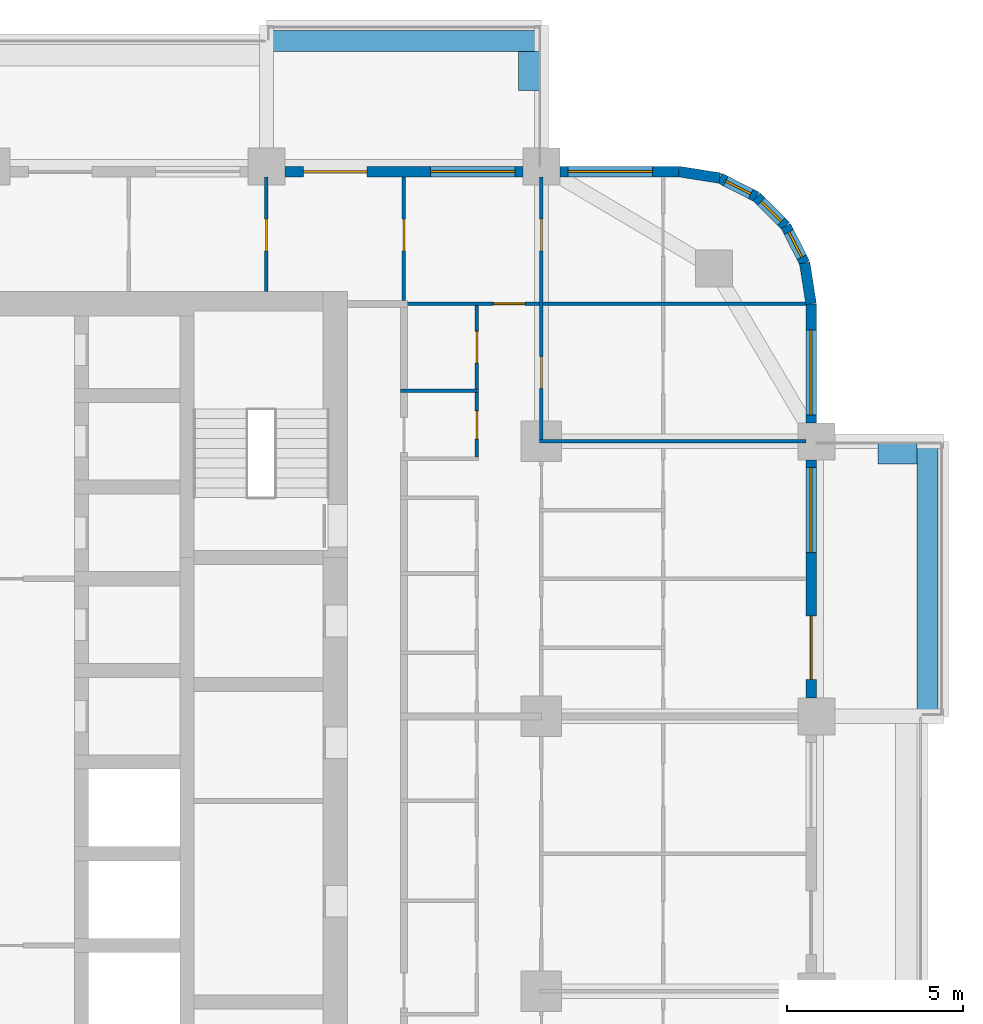
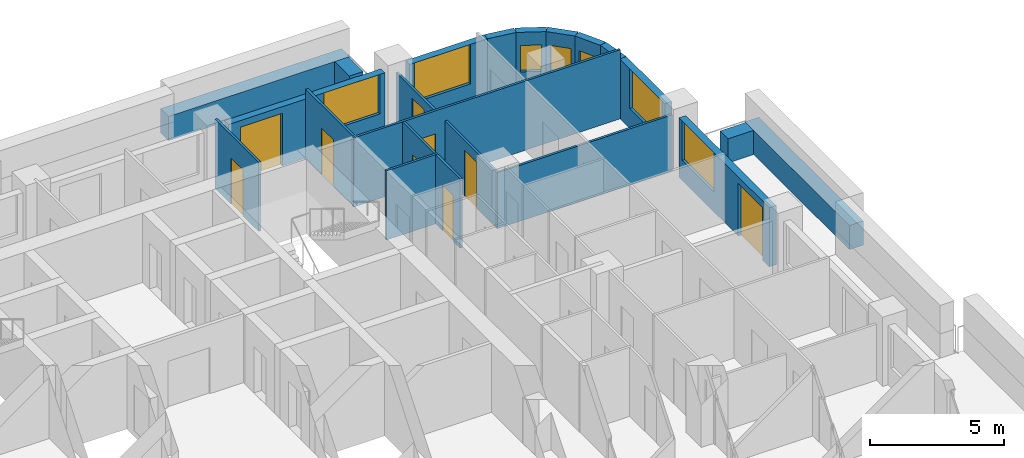
# One storey, part 13 of 17: 20 walls, 9 doors, 7 windows, 16 openings.
"""IFC4 building model written with IfcOpenShell, lengths in metres."""

from ifc_helpers import new_model, si_unit, direction, frame, frame_2d, origin, place, context, subcontext, project, spatial, rectangle, extrude, material, layer, layer_set, type_object, element, fill, save


model = new_model("IFC4")

# Units and contexts
model_context = context("Model", 3, precision=1e-05, world=origin(), true_north=direction((0.0, 1.0)))
body_context = subcontext(model_context, "Body", "Model", "MODEL_VIEW")
ifc_project = project(units=[si_unit("LENGTHUNIT", "METRE"), si_unit("AREAUNIT", "SQUARE_METRE"), si_unit("VOLUMEUNIT", "CUBIC_METRE"), si_unit("PLANEANGLEUNIT", "RADIAN"), si_unit("MASSUNIT", "GRAM", prefix="KILO")], contexts=[model_context])

# Site, building, storey
site_placement = place(None, origin())
site = spatial("IfcSite", under=ifc_project, at=site_placement, CompositionType="ELEMENT")
building_placement = place(site_placement, origin())
building = spatial("IfcBuilding", under=site, at=building_placement, Name="Ludao Terraces", CompositionType="ELEMENT")
storey_placement = place(building_placement, frame((0.0, 0.0, 39.89990234375)))
storey = spatial("IfcBuildingStorey", under=building, at=storey_placement, Name="L10", CompositionType="ELEMENT", Elevation=39.89990234375)

# Walls
ifc_material_1 = material(Name="Concrete C40", Category="concrete")
ifc_layer_1 = layer(ifc_material_1, 0.60009765625)
ifc_layer_set_1 = layer_set([ifc_layer_1], Name="ENV Planter trough 600")
wall_type_1 = type_object("IfcWallType", Name="ENV Planter trough 600", PredefinedType="USERDEFINED", material=ifc_layer_set_1)
wall_1_placement = place(storey_placement, frame((111.550048828125, 72.800048828125, 0.0), z_axis=(0.0, 0.0, 1.0), x_axis=(0.0, 1.0, 0.0)))
element("IfcWall", 1, at=wall_1_placement, inside=storey, type_object=wall_type_1, Name="PL-L10-E4", ObjectType="PLANTER", PredefinedType="USERDEFINED", context=body_context, shape_type="SweptSolid", body=[
    extrude(rectangle(XDim=7.800048828125, YDim=0.60009765625, at=frame_2d((3.89990234375, 0.0))), origin(), (0.0, 0.0, 1.0), 1.10009765625),
])
wall_2_placement = place(storey_placement, frame((111.25, 80.25, 0.0), z_axis=(0.0, 0.0, 1.0), x_axis=(-1.0, 0.0, 0.0)))
element("IfcWall", 2, at=wall_2_placement, inside=storey, type_object=wall_type_1, Name="PL-L10-E4-SB", ObjectType="PLANTER", PredefinedType="USERDEFINED", context=body_context, shape_type="SweptSolid", body=[
    extrude(rectangle(XDim=1.10009765625, YDim=0.60009765625, at=frame_2d((0.550048828125, 0.0))), origin(), (0.0, 0.0, 1.0), 1.10009765625),
])
wall_3_placement = place(storey_placement, frame((92.800048828125, 91.949951171875, 0.0), z_axis=(0.0, 0.0, 1.0), x_axis=(1.0, 0.0, 0.0)))
element("IfcWall", 3, at=wall_3_placement, inside=storey, type_object=wall_type_1, Name="PL-L10-N4", ObjectType="PLANTER", PredefinedType="USERDEFINED", context=body_context, shape_type="SweptSolid", body=[
    extrude(rectangle(XDim=7.800048828125, YDim=0.60009765625, at=frame_2d((3.89990234375, 0.0))), origin(), (0.0, 0.0, 1.0), 1.10009765625),
])
wall_4_placement = place(storey_placement, frame((100.25, 91.64990234375, 0.0), z_axis=(0.0, 0.0, 1.0), x_axis=(0.0, -1.0, 0.0)))
element("IfcWall", 4, at=wall_4_placement, inside=storey, type_object=wall_type_1, Name="PL-L10-N4-SB", ObjectType="PLANTER", PredefinedType="USERDEFINED", context=body_context, shape_type="SweptSolid", body=[
    extrude(rectangle(XDim=1.099853515625, YDim=0.60009765625, at=frame_2d((0.5498046875, 0.0))), origin(), (0.0, 0.0, 1.0), 1.10009765625),
])

# Wall, openings, door, window
ifc_material_2 = material(Name="Granite cladding", Category="masonry")
ifc_layer_2 = layer(ifc_material_2, 0.0400390625, Category="stone")
ifc_material_3 = material(Name="Mineral wool")
ifc_layer_3 = layer(ifc_material_3, 0.06005859375)
ifc_layer_4 = layer(ifc_material_1, 0.199951171875, Category="concrete")
ifc_layer_set_2 = layer_set([ifc_layer_2, ifc_layer_3, ifc_layer_4], Name="ENV Stone-clad wall 300")
wall_type_2 = type_object("IfcWallType", Name="ENV Stone-clad wall 300", PredefinedType="SOLIDWALL", material=ifc_layer_set_2)
wall_5_placement = place(storey_placement, frame((108.25, 73.324951171875, 0.0), z_axis=(0.0, 0.0, 1.0), x_axis=(0.0, 1.0, 0.0)))
wall_5 = element("IfcWall", 5, at=wall_5_placement, inside=storey, type_object=wall_type_2, Name="EW-L10-E5", PredefinedType="SOLIDWALL", context=body_context, shape_type="SweptSolid", body=[
    extrude(rectangle(XDim=6.75, YDim=0.300048828125, at=frame_2d((3.375, 0.0))), origin(), (0.0, 0.0, 1.0), 2.7001953125),
])
opening_1_placement = place(wall_5_placement, frame((0.52490234375, 0.0, 0.0)))
opening_1 = element("IfcOpeningElement", 6, at=opening_1_placement, cuts=wall_5, Name="Opening BD", PredefinedType="OPENING", context=body_context, shape_type="SweptSolid", body=[
    extrude(rectangle(XDim=1.800048828125, YDim=2.39990234375, at=frame_2d((0.89990234375, 1.199951171875))), frame((0.0, 0.16015625, 0.0), z_axis=(0.0, -1.0, 0.0), x_axis=(1.0, 0.0, 0.0)), (0.0, 0.0, 1.0), 0.320068359375),
])
opening_2_placement = place(wall_5_placement, frame((4.125, 0.0, 0.89990234375)))
opening_2 = element("IfcOpeningElement", 7, at=opening_2_placement, cuts=wall_5, Name="Opening W1", PredefinedType="OPENING", context=body_context, shape_type="SweptSolid", body=[
    extrude(rectangle(XDim=2.39990234375, YDim=1.800048828125, at=frame_2d((1.199951171875, 0.89990234375))), frame((0.0, 0.16015625, 0.0), z_axis=(0.0, -1.0, 0.0), x_axis=(1.0, 0.0, 0.0)), (0.0, 0.0, 1.0), 0.320068359375),
])
ifc_material_4 = material(Name="Aluminium glazed door", Category="aluminium")
ifc_layer_5 = layer(ifc_material_4, 0.06005859375)
ifc_layer_set_3 = layer_set([ifc_layer_5], Name="ENV Balcony door BD 1800x2400")
door_type_1 = type_object("IfcDoorType", Name="ENV Balcony door BD 1800x2400", OperationType="DOUBLE_DOOR_SINGLE_SWING", PredefinedType="DOOR", material=ifc_layer_set_3)
door_1_placement = place(opening_1_placement, origin())
door_1 = element("IfcDoor", 8, at=door_1_placement, inside=storey, type_object=door_type_1, Name="BD-L10-E5-1", OperationType="DOUBLE_DOOR_SINGLE_SWING", OverallHeight=2.39990234375, OverallWidth=1.800048828125, PredefinedType="DOOR", context=body_context, shape_type="SweptSolid", body=[
    extrude(rectangle(XDim=1.800048828125, YDim=2.39990234375, at=frame_2d((0.89990234375, 1.199951171875))), frame((0.0, 0.02490234375, 0.0), z_axis=(0.0, -1.0, 0.0), x_axis=(1.0, 0.0, 0.0)), (0.0, 0.0, 1.0), 0.050048828125),
])
fill(opening_1, door_1)
ifc_material_5 = material(Name="Clear glass in aluminium frame", Category="aluminium")
ifc_layer_6 = layer(ifc_material_5, 0.06005859375)
ifc_layer_set_4 = layer_set([ifc_layer_6], Name="ENV Window W1 2400x1800")
window_type_1 = type_object("IfcWindowType", Name="ENV Window W1 2400x1800", PartitioningType="DOUBLE_PANEL_VERTICAL", PredefinedType="WINDOW", material=ifc_layer_set_4)
window_1_placement = place(opening_2_placement, origin())
window_1 = element("IfcWindow", 9, at=window_1_placement, inside=storey, type_object=window_type_1, Name="W-L10-E5-2", OverallHeight=1.800048828125, OverallWidth=2.39990234375, PartitioningType="DOUBLE_PANEL_VERTICAL", PredefinedType="WINDOW", context=body_context, shape_type="SweptSolid", body=[
    extrude(rectangle(XDim=2.39990234375, YDim=1.800048828125, at=frame_2d((1.199951171875, 0.89990234375))), frame((0.0, 0.030029296875, 0.0), z_axis=(0.0, -1.0, 0.0), x_axis=(1.0, 0.0, 0.0)), (0.0, 0.0, 1.0), 0.06005859375),
])
fill(opening_2, window_1)

# Wall, opening, window
wall_6_placement = place(storey_placement, frame((108.25, 81.125, 0.0), z_axis=(0.0, 0.0, 1.0), x_axis=(0.0, 1.0, 0.0)))
wall_6 = element("IfcWall", 10, at=wall_6_placement, inside=storey, type_object=wall_type_2, Name="EW-L10-E6", PredefinedType="SOLIDWALL", context=body_context, shape_type="SweptSolid", body=[
    extrude(rectangle(XDim=3.375, YDim=0.300048828125, at=frame_2d((1.6875, 0.0))), origin(), (0.0, 0.0, 1.0), 2.7001953125),
])
opening_3_placement = place(wall_6_placement, frame((0.22509765625, 0.0, 0.89990234375)))
opening_3 = element("IfcOpeningElement", 11, at=opening_3_placement, cuts=wall_6, Name="Opening W1", PredefinedType="OPENING", context=body_context, shape_type="SweptSolid", body=[
    extrude(rectangle(XDim=2.39990234375, YDim=1.800048828125, at=frame_2d((1.199951171875, 0.89990234375))), frame((0.0, 0.16015625, 0.0), z_axis=(0.0, -1.0, 0.0), x_axis=(1.0, 0.0, 0.0)), (0.0, 0.0, 1.0), 0.320068359375),
])
window_2_placement = place(opening_3_placement, origin())
window_2 = element("IfcWindow", 12, at=window_2_placement, inside=storey, type_object=window_type_1, Name="W-L10-E6-1", OverallHeight=1.800048828125, OverallWidth=2.39990234375, PartitioningType="DOUBLE_PANEL_VERTICAL", PredefinedType="WINDOW", context=body_context, shape_type="SweptSolid", body=[
    extrude(rectangle(XDim=2.39990234375, YDim=1.800048828125, at=frame_2d((1.199951171875, 0.89990234375))), frame((0.0, 0.030029296875, 0.0), z_axis=(0.0, -1.0, 0.0), x_axis=(1.0, 0.0, 0.0)), (0.0, 0.0, 1.0), 0.06005859375),
])
fill(opening_3, window_2)

# Wall, openings, door, window
wall_7_placement = place(storey_placement, frame((93.324951171875, 88.25, 0.0), z_axis=(0.0, 0.0, 1.0), x_axis=(1.0, 0.0, 0.0)))
wall_7 = element("IfcWall", 13, at=wall_7_placement, inside=storey, type_object=wall_type_2, Name="EW-L10-N5", PredefinedType="SOLIDWALL", context=body_context, shape_type="SweptSolid", body=[
    extrude(rectangle(XDim=6.75, YDim=0.300048828125, at=frame_2d((3.375, 0.0))), origin(), (0.0, 0.0, 1.0), 2.7001953125),
])
opening_4_placement = place(wall_7_placement, frame((0.52490234375, 0.0, 0.0)))
opening_4 = element("IfcOpeningElement", 14, at=opening_4_placement, cuts=wall_7, Name="Opening BD", PredefinedType="OPENING", context=body_context, shape_type="SweptSolid", body=[
    extrude(rectangle(XDim=1.800048828125, YDim=2.39990234375, at=frame_2d((0.89990234375, 1.199951171875))), frame((0.0, 0.16015625, 0.0), z_axis=(0.0, -1.0, 0.0), x_axis=(1.0, 0.0, 0.0)), (0.0, 0.0, 1.0), 0.320068359375),
])
opening_5_placement = place(wall_7_placement, frame((4.125, 0.0, 0.89990234375)))
opening_5 = element("IfcOpeningElement", 15, at=opening_5_placement, cuts=wall_7, Name="Opening W1", PredefinedType="OPENING", context=body_context, shape_type="SweptSolid", body=[
    extrude(rectangle(XDim=2.39990234375, YDim=1.800048828125, at=frame_2d((1.199951171875, 0.89990234375))), frame((0.0, 0.16015625, 0.0), z_axis=(0.0, -1.0, 0.0), x_axis=(1.0, 0.0, 0.0)), (0.0, 0.0, 1.0), 0.320068359375),
])
door_2_placement = place(opening_4_placement, origin())
door_2 = element("IfcDoor", 16, at=door_2_placement, inside=storey, type_object=door_type_1, Name="BD-L10-N5-1", OperationType="DOUBLE_DOOR_SINGLE_SWING", OverallHeight=2.39990234375, OverallWidth=1.800048828125, PredefinedType="DOOR", context=body_context, shape_type="SweptSolid", body=[
    extrude(rectangle(XDim=1.800048828125, YDim=2.39990234375, at=frame_2d((0.89990234375, 1.199951171875))), frame((0.0, 0.02490234375, 0.0), z_axis=(0.0, -1.0, 0.0), x_axis=(1.0, 0.0, 0.0)), (0.0, 0.0, 1.0), 0.050048828125),
])
fill(opening_4, door_2)
window_3_placement = place(opening_5_placement, origin())
window_3 = element("IfcWindow", 17, at=window_3_placement, inside=storey, type_object=window_type_1, Name="W-L10-N5-2", OverallHeight=1.800048828125, OverallWidth=2.39990234375, PartitioningType="DOUBLE_PANEL_VERTICAL", PredefinedType="WINDOW", context=body_context, shape_type="SweptSolid", body=[
    extrude(rectangle(XDim=2.39990234375, YDim=1.800048828125, at=frame_2d((1.199951171875, 0.89990234375))), frame((0.0, 0.030029296875, 0.0), z_axis=(0.0, -1.0, 0.0), x_axis=(1.0, 0.0, 0.0)), (0.0, 0.0, 1.0), 0.06005859375),
])
fill(opening_5, window_3)

# Wall, opening, window
wall_8_placement = place(storey_placement, frame((101.125, 88.25, 0.0), z_axis=(0.0, 0.0, 1.0), x_axis=(1.0, 0.0, 0.0)))
wall_8 = element("IfcWall", 18, at=wall_8_placement, inside=storey, type_object=wall_type_2, Name="EW-L10-N6", PredefinedType="SOLIDWALL", context=body_context, shape_type="SweptSolid", body=[
    extrude(rectangle(XDim=3.375, YDim=0.300048828125, at=frame_2d((1.6875, 0.0))), origin(), (0.0, 0.0, 1.0), 2.7001953125),
])
opening_6_placement = place(wall_8_placement, frame((0.22509765625, 0.0, 0.89990234375)))
opening_6 = element("IfcOpeningElement", 19, at=opening_6_placement, cuts=wall_8, Name="Opening W1", PredefinedType="OPENING", context=body_context, shape_type="SweptSolid", body=[
    extrude(rectangle(XDim=2.39990234375, YDim=1.800048828125, at=frame_2d((1.199951171875, 0.89990234375))), frame((0.0, 0.16015625, 0.0), z_axis=(0.0, -1.0, 0.0), x_axis=(1.0, 0.0, 0.0)), (0.0, 0.0, 1.0), 0.320068359375),
])
window_4_placement = place(opening_6_placement, origin())
window_4 = element("IfcWindow", 20, at=window_4_placement, inside=storey, type_object=window_type_1, Name="W-L10-N6-1", OverallHeight=1.800048828125, OverallWidth=2.39990234375, PartitioningType="DOUBLE_PANEL_VERTICAL", PredefinedType="WINDOW", context=body_context, shape_type="SweptSolid", body=[
    extrude(rectangle(XDim=2.39990234375, YDim=1.800048828125, at=frame_2d((1.199951171875, 0.89990234375))), frame((0.0, 0.030029296875, 0.0), z_axis=(0.0, -1.0, 0.0), x_axis=(1.0, 0.0, 0.0)), (0.0, 0.0, 1.0), 0.06005859375),
])
fill(opening_6, window_4)

# Wall
wall_9_placement = place(storey_placement, frame((108.25, 84.5, 0.0), z_axis=(0.0, 0.0, 1.0), x_axis=(-0.156496880861, 0.987678452879, 0.0)))
element("IfcWall", 21, at=wall_9_placement, inside=storey, type_object=wall_type_2, Name="EW-L10-NE1", PredefinedType="SOLIDWALL", context=body_context, shape_type="SweptSolid", body=[
    extrude(rectangle(XDim=1.173095703125, YDim=0.300048828125, at=frame_2d((0.58642578125, 0.0))), origin(), (0.0, 0.0, 1.0), 2.7001953125),
])

# Wall, opening, window
wall_10_placement = place(storey_placement, frame((108.06640625, 85.65869140625, 0.0), z_axis=(0.0, 0.0, 1.0), x_axis=(-0.454025524128, 0.890988677504, 0.0)))
wall_10 = element("IfcWall", 22, at=wall_10_placement, inside=storey, type_object=wall_type_2, Name="EW-L10-NE2", PredefinedType="SOLIDWALL", context=body_context, shape_type="SweptSolid", body=[
    extrude(rectangle(XDim=1.17333984375, YDim=0.300048828125, at=frame_2d((0.586669921875, 0.0))), origin(), (0.0, 0.0, 1.0), 2.7001953125),
])
opening_7_placement = place(wall_10_placement, frame((0.1865234375, 0.0, 0.89990234375)))
opening_7 = element("IfcOpeningElement", 23, at=opening_7_placement, cuts=wall_10, Name="Opening W3", PredefinedType="OPENING", context=body_context, shape_type="SweptSolid", body=[
    extrude(rectangle(XDim=0.800048828125, YDim=1.199951171875, at=frame_2d((0.39990234375, 0.60009765625))), frame((0.0, 0.16015625, 0.0), z_axis=(0.0, -1.0, 0.0), x_axis=(1.0, 0.0, 0.0)), (0.0, 0.0, 1.0), 0.320068359375),
])
ifc_layer_7 = layer(ifc_material_5, 0.06005859375)
ifc_layer_set_5 = layer_set([ifc_layer_7], Name="ENV Window W3 800x1200")
window_type_2 = type_object("IfcWindowType", Name="ENV Window W3 800x1200", PartitioningType="SINGLE_PANEL", PredefinedType="WINDOW", material=ifc_layer_set_5)
window_5_placement = place(opening_7_placement, origin())
window_5 = element("IfcWindow", 24, at=window_5_placement, inside=storey, type_object=window_type_2, Name="W-L10-NE2", OverallHeight=1.199951171875, OverallWidth=0.800048828125, PartitioningType="SINGLE_PANEL", PredefinedType="WINDOW", context=body_context, shape_type="SweptSolid", body=[
    extrude(rectangle(XDim=0.800048828125, YDim=1.199951171875, at=frame_2d((0.39990234375, 0.60009765625))), frame((0.0, 0.030029296875, 0.0), z_axis=(0.0, -1.0, 0.0), x_axis=(1.0, 0.0, 0.0)), (0.0, 0.0, 1.0), 0.06005859375),
])
fill(opening_7, window_5)

wall_11_placement = place(storey_placement, frame((107.53369140625, 86.7041015625, 0.0), z_axis=(0.0, 0.0, 1.0), x_axis=(-0.707106781187, 0.707106781187, 0.0)))
wall_11 = element("IfcWall", 25, at=wall_11_placement, inside=storey, type_object=wall_type_2, Name="EW-L10-NE3", PredefinedType="SOLIDWALL", context=body_context, shape_type="SweptSolid", body=[
    extrude(rectangle(XDim=1.173095703125, YDim=0.300048828125, at=frame_2d((0.58642578125, 0.0))), origin(), (0.0, 0.0, 1.0), 2.7001953125),
])
opening_8_placement = place(wall_11_placement, frame((0.1865234375, 0.0, 0.89990234375)))
opening_8 = element("IfcOpeningElement", 26, at=opening_8_placement, cuts=wall_11, Name="Opening W3", PredefinedType="OPENING", context=body_context, shape_type="SweptSolid", body=[
    extrude(rectangle(XDim=0.800048828125, YDim=1.199951171875, at=frame_2d((0.39990234375, 0.60009765625))), frame((0.0, 0.16015625, 0.0), z_axis=(0.0, -1.0, 0.0), x_axis=(1.0, 0.0, 0.0)), (0.0, 0.0, 1.0), 0.320068359375),
])
window_6_placement = place(opening_8_placement, origin())
window_6 = element("IfcWindow", 27, at=window_6_placement, inside=storey, type_object=window_type_2, Name="W-L10-NE3", OverallHeight=1.199951171875, OverallWidth=0.800048828125, PartitioningType="SINGLE_PANEL", PredefinedType="WINDOW", context=body_context, shape_type="SweptSolid", body=[
    extrude(rectangle(XDim=0.800048828125, YDim=1.199951171875, at=frame_2d((0.39990234375, 0.60009765625))), frame((0.0, 0.030029296875, 0.0), z_axis=(0.0, -1.0, 0.0), x_axis=(1.0, 0.0, 0.0)), (0.0, 0.0, 1.0), 0.06005859375),
])
fill(opening_8, window_6)

wall_12_placement = place(storey_placement, frame((106.7041015625, 87.53369140625, 0.0), z_axis=(0.0, 0.0, 1.0), x_axis=(-0.890988677504, 0.454025524128, 0.0)))
wall_12 = element("IfcWall", 28, at=wall_12_placement, inside=storey, type_object=wall_type_2, Name="EW-L10-NE4", PredefinedType="SOLIDWALL", context=body_context, shape_type="SweptSolid", body=[
    extrude(rectangle(XDim=1.17333984375, YDim=0.300048828125, at=frame_2d((0.586669921875, 0.0))), origin(), (0.0, 0.0, 1.0), 2.7001953125),
])
opening_9_placement = place(wall_12_placement, frame((0.1865234375, 0.0, 0.89990234375)))
opening_9 = element("IfcOpeningElement", 29, at=opening_9_placement, cuts=wall_12, Name="Opening W3", PredefinedType="OPENING", context=body_context, shape_type="SweptSolid", body=[
    extrude(rectangle(XDim=0.800048828125, YDim=1.199951171875, at=frame_2d((0.39990234375, 0.60009765625))), frame((0.0, 0.16015625, 0.0), z_axis=(0.0, -1.0, 0.0), x_axis=(1.0, 0.0, 0.0)), (0.0, 0.0, 1.0), 0.320068359375),
])
window_7_placement = place(opening_9_placement, origin())
window_7 = element("IfcWindow", 30, at=window_7_placement, inside=storey, type_object=window_type_2, Name="W-L10-NE4", OverallHeight=1.199951171875, OverallWidth=0.800048828125, PartitioningType="SINGLE_PANEL", PredefinedType="WINDOW", context=body_context, shape_type="SweptSolid", body=[
    extrude(rectangle(XDim=0.800048828125, YDim=1.199951171875, at=frame_2d((0.39990234375, 0.60009765625))), frame((0.0, 0.030029296875, 0.0), z_axis=(0.0, -1.0, 0.0), x_axis=(1.0, 0.0, 0.0)), (0.0, 0.0, 1.0), 0.06005859375),
])
fill(opening_9, window_7)

# Walls
wall_13_placement = place(storey_placement, frame((105.65869140625, 88.06640625, 0.0), z_axis=(0.0, 0.0, 1.0), x_axis=(-0.987678452879, 0.156496880861, 0.0)))
element("IfcWall", 31, at=wall_13_placement, inside=storey, type_object=wall_type_2, Name="EW-L10-NE5", PredefinedType="SOLIDWALL", context=body_context, shape_type="SweptSolid", body=[
    extrude(rectangle(XDim=1.173095703125, YDim=0.300048828125, at=frame_2d((0.58642578125, 0.0))), origin(), (0.0, 0.0, 1.0), 2.7001953125),
])
ifc_material_6 = material(Name="Gypsum plasterboard", Category="gypsum")
ifc_layer_8 = layer(ifc_material_6, 0.012451171875, Category="gypsum")
ifc_layer_9 = layer(ifc_material_3, 0.06005859375, Name="insulation")
ifc_material_7 = material(Name="Steel Q235", Category="steel")
ifc_layer_10 = layer(ifc_material_7, 0.014892578125, Name="stud")
ifc_layer_11 = layer(ifc_material_6, 0.012451171875, Category="gypsum")
ifc_layer_set_6 = layer_set([ifc_layer_8, ifc_layer_9, ifc_layer_10, ifc_layer_11], Name="INT Partition 100")
wall_type_3 = type_object("IfcWallType", Name="INT Partition 100", PredefinedType="PARTITIONING", material=ifc_layer_set_6)
wall_14_placement = place(storey_placement, frame((100.550048828125, 80.60009765625, 0.0), z_axis=(0.0, 0.0, 1.0), x_axis=(1.0, 0.0, 0.0)))
element("IfcWall", 32, at=wall_14_placement, inside=storey, type_object=wall_type_3, Name="PW-L10-PW071", PredefinedType="PARTITIONING", context=body_context, shape_type="SweptSolid", body=[
    extrude(rectangle(XDim=7.550048828125, YDim=0.10009765625, at=frame_2d((3.77490234375, 0.0))), origin(), (0.0, 0.0, 1.0), 2.550048828125),
])
wall_15_placement = place(storey_placement, frame((96.60009765625, 82.030029296875, 0.0), z_axis=(0.0, 0.0, 1.0), x_axis=(1.0, 0.0, 0.0)))
element("IfcWall", 33, at=wall_15_placement, inside=storey, type_object=wall_type_3, Name="PW-L10-PW072", PredefinedType="PARTITIONING", context=body_context, shape_type="SweptSolid", body=[
    extrude(rectangle(XDim=2.219970703125, YDim=0.10009765625, at=frame_2d((1.10986328125, 0.0))), origin(), (0.0, 0.0, 1.0), 3.150146484375),
])

# Wall, opening, door
wall_16_placement = place(storey_placement, frame((96.60009765625, 84.5, 0.0), z_axis=(0.0, 0.0, 1.0), x_axis=(1.0, 0.0, 0.0)))
wall_16 = element("IfcWall", 34, at=wall_16_placement, inside=storey, type_object=wall_type_3, Name="PW-L10-PW078", PredefinedType="PARTITIONING", context=body_context, shape_type="SweptSolid", body=[
    extrude(rectangle(XDim=11.5, YDim=0.10009765625, at=frame_2d((5.75, 0.0))), origin(), (0.0, 0.0, 1.0), 3.150146484375),
])
opening_10_placement = place(wall_16_placement, frame((2.635009765625, 0.0, 0.0)))
opening_10 = element("IfcOpeningElement", 35, at=opening_10_placement, cuts=wall_16, Name="Opening R03-154", PredefinedType="OPENING", context=body_context, shape_type="SweptSolid", body=[
    extrude(rectangle(XDim=0.89990234375, YDim=2.10009765625, at=frame_2d((0.449951171875, 1.050048828125))), frame((0.0, 0.06005859375, 0.0), z_axis=(0.0, -1.0, 0.0), x_axis=(1.0, 0.0, 0.0)), (0.0, 0.0, 1.0), 0.1201171875),
])
ifc_material_8 = material(Name="Timber door leaf", Category="wood")
door_type_2 = type_object("IfcDoorType", Name="INT Room door 900", OperationType="SINGLE_SWING_LEFT", PredefinedType="DOOR", material=ifc_material_8)
door_3_placement = place(opening_10_placement, origin())
door_3 = element("IfcDoor", 36, at=door_3_placement, inside=storey, type_object=door_type_2, Name="DOOR 154", OperationType="SINGLE_SWING_LEFT", OverallHeight=2.10009765625, OverallWidth=0.89990234375, PredefinedType="DOOR", context=body_context, shape_type="SweptSolid", body=[
    extrude(rectangle(XDim=0.89990234375, YDim=2.10009765625, at=frame_2d((0.449951171875, 1.050048828125))), frame((0.0, 0.02490234375, 0.0), z_axis=(0.0, -1.0, 0.0), x_axis=(1.0, 0.0, 0.0)), (0.0, 0.0, 1.0), 0.050048828125),
])
fill(opening_10, door_3)

wall_17_placement = place(storey_placement, frame((92.800048828125, 84.85009765625, 0.0), z_axis=(0.0, 0.0, 1.0), x_axis=(0.0, 1.0, 0.0)))
wall_17 = element("IfcWall", 37, at=wall_17_placement, inside=storey, type_object=wall_type_3, Name="PW-L10-PW113", PredefinedType="PARTITIONING", context=body_context, shape_type="SweptSolid", body=[
    extrude(rectangle(XDim=3.25, YDim=0.10009765625, at=frame_2d((1.625, 0.0))), origin(), (0.0, 0.0, 1.0), 3.150146484375),
])
opening_11_placement = place(wall_17_placement, frame((1.14990234375, 0.0, 0.0)))
opening_11 = element("IfcOpeningElement", 38, at=opening_11_placement, cuts=wall_17, Name="Opening R03-161", PredefinedType="OPENING", context=body_context, shape_type="SweptSolid", body=[
    extrude(rectangle(XDim=0.89990234375, YDim=2.10009765625, at=frame_2d((0.449951171875, 1.050048828125))), frame((0.0, 0.06005859375, 0.0), z_axis=(0.0, -1.0, 0.0), x_axis=(1.0, 0.0, 0.0)), (0.0, 0.0, 1.0), 0.1201171875),
])
door_4_placement = place(opening_11_placement, origin())
door_4 = element("IfcDoor", 39, at=door_4_placement, inside=storey, type_object=door_type_2, Name="DOOR 161", OperationType="SINGLE_SWING_LEFT", OverallHeight=2.10009765625, OverallWidth=0.89990234375, PredefinedType="DOOR", context=body_context, shape_type="SweptSolid", body=[
    extrude(rectangle(XDim=0.89990234375, YDim=2.10009765625, at=frame_2d((0.449951171875, 1.050048828125))), frame((0.0, 0.02490234375, 0.0), z_axis=(0.0, -1.0, 0.0), x_axis=(1.0, 0.0, 0.0)), (0.0, 0.0, 1.0), 0.050048828125),
])
fill(opening_11, door_4)

wall_18_placement = place(storey_placement, frame((96.699951171875, 84.60009765625, 0.0), z_axis=(0.0, 0.0, 1.0), x_axis=(0.0, 1.0, 0.0)))
wall_18 = element("IfcWall", 40, at=wall_18_placement, inside=storey, type_object=wall_type_3, Name="PW-L10-PW118", PredefinedType="PARTITIONING", context=body_context, shape_type="SweptSolid", body=[
    extrude(rectangle(XDim=3.5, YDim=0.10009765625, at=frame_2d((1.75, 0.0))), origin(), (0.0, 0.0, 1.0), 3.150146484375),
])
opening_12_placement = place(wall_18_placement, frame((1.39990234375, 0.0, 0.0)))
opening_12 = element("IfcOpeningElement", 41, at=opening_12_placement, cuts=wall_18, Name="Opening R03-162", PredefinedType="OPENING", context=body_context, shape_type="SweptSolid", body=[
    extrude(rectangle(XDim=0.89990234375, YDim=2.10009765625, at=frame_2d((0.449951171875, 1.050048828125))), frame((0.0, 0.06005859375, 0.0), z_axis=(0.0, -1.0, 0.0), x_axis=(1.0, 0.0, 0.0)), (0.0, 0.0, 1.0), 0.1201171875),
])
door_5_placement = place(opening_12_placement, origin())
door_5 = element("IfcDoor", 42, at=door_5_placement, inside=storey, type_object=door_type_2, Name="DOOR 162", OperationType="SINGLE_SWING_RIGHT", OverallHeight=2.10009765625, OverallWidth=0.89990234375, PredefinedType="DOOR", context=body_context, shape_type="SweptSolid", body=[
    extrude(rectangle(XDim=0.89990234375, YDim=2.10009765625, at=frame_2d((0.449951171875, 1.050048828125))), frame((0.0, 0.02490234375, 0.0), z_axis=(0.0, -1.0, 0.0), x_axis=(1.0, 0.0, 0.0)), (0.0, 0.0, 1.0), 0.050048828125),
])
fill(opening_12, door_5)

# Wall, openings, doors
wall_19_placement = place(storey_placement, frame((98.77001953125, 80.150146484375, 0.0), z_axis=(0.0, 0.0, 1.0), x_axis=(0.0, 1.0, 0.0)))
wall_19 = element("IfcWall", 43, at=wall_19_placement, inside=storey, type_object=wall_type_3, Name="PW-L10-PW122", PredefinedType="PARTITIONING", context=body_context, shape_type="SweptSolid", body=[
    extrude(rectangle(XDim=4.300048828125, YDim=0.10009765625, at=frame_2d((2.14990234375, 0.0))), origin(), (0.0, 0.0, 1.0), 3.150146484375),
])
opening_13_placement = place(wall_19_placement, frame((0.514892578125, 0.0, 0.0)))
opening_13 = element("IfcOpeningElement", 44, at=opening_13_placement, cuts=wall_19, Name="Opening R03-143", PredefinedType="OPENING", context=body_context, shape_type="SweptSolid", body=[
    extrude(rectangle(XDim=0.800048828125, YDim=2.10009765625, at=frame_2d((0.39990234375, 1.050048828125))), frame((0.0, 0.06005859375, 0.0), z_axis=(0.0, -1.0, 0.0), x_axis=(1.0, 0.0, 0.0)), (0.0, 0.0, 1.0), 0.1201171875),
])
opening_14_placement = place(wall_19_placement, frame((2.6650390625, 0.0, 0.0)))
opening_14 = element("IfcOpeningElement", 45, at=opening_14_placement, cuts=wall_19, Name="Opening R03-151", PredefinedType="OPENING", context=body_context, shape_type="SweptSolid", body=[
    extrude(rectangle(XDim=0.89990234375, YDim=2.10009765625, at=frame_2d((0.449951171875, 1.050048828125))), frame((0.0, 0.06005859375, 0.0), z_axis=(0.0, -1.0, 0.0), x_axis=(1.0, 0.0, 0.0)), (0.0, 0.0, 1.0), 0.1201171875),
])
door_6_placement = place(opening_14_placement, origin())
door_6 = element("IfcDoor", 46, at=door_6_placement, inside=storey, type_object=door_type_2, Name="DOOR 151", OperationType="SINGLE_SWING_LEFT", OverallHeight=2.10009765625, OverallWidth=0.89990234375, PredefinedType="DOOR", context=body_context, shape_type="SweptSolid", body=[
    extrude(rectangle(XDim=0.89990234375, YDim=2.10009765625, at=frame_2d((0.449951171875, 1.050048828125))), frame((0.0, 0.02490234375, 0.0), z_axis=(0.0, -1.0, 0.0), x_axis=(1.0, 0.0, 0.0)), (0.0, 0.0, 1.0), 0.050048828125),
])
fill(opening_14, door_6)
door_type_3 = type_object("IfcDoorType", Name="INT Store door 800", OperationType="SINGLE_SWING_LEFT", PredefinedType="DOOR", material=ifc_material_8)
door_7_placement = place(opening_13_placement, origin())
door_7 = element("IfcDoor", 47, at=door_7_placement, inside=storey, type_object=door_type_3, Name="DOOR 143", OperationType="SINGLE_SWING_LEFT", OverallHeight=2.10009765625, OverallWidth=0.800048828125, PredefinedType="DOOR", context=body_context, shape_type="SweptSolid", body=[
    extrude(rectangle(XDim=0.800048828125, YDim=2.10009765625, at=frame_2d((0.39990234375, 1.050048828125))), frame((0.0, 0.02490234375, 0.0), z_axis=(0.0, -1.0, 0.0), x_axis=(1.0, 0.0, 0.0)), (0.0, 0.0, 1.0), 0.050048828125),
])
fill(opening_13, door_7)

wall_20_placement = place(storey_placement, frame((100.60009765625, 80.60009765625, 0.0), z_axis=(0.0, 0.0, 1.0), x_axis=(0.0, 1.0, 0.0)))
wall_20 = element("IfcWall", 48, at=wall_20_placement, inside=storey, type_object=wall_type_3, Name="PW-L10-PW123-3", PredefinedType="PARTITIONING", context=body_context, shape_type="SweptSolid", body=[
    extrude(rectangle(XDim=7.5, YDim=0.10009765625, at=frame_2d((3.75, 0.0))), origin(), (0.0, 0.0, 1.0), 2.550048828125),
])
opening_15_placement = place(wall_20_placement, frame((1.5, 0.0, 0.0)))
opening_15 = element("IfcOpeningElement", 49, at=opening_15_placement, cuts=wall_20, Name="Opening R03-147", PredefinedType="OPENING", context=body_context, shape_type="SweptSolid", body=[
    extrude(rectangle(XDim=0.89990234375, YDim=2.10009765625, at=frame_2d((0.449951171875, 1.050048828125))), frame((0.0, 0.06005859375, 0.0), z_axis=(0.0, -1.0, 0.0), x_axis=(1.0, 0.0, 0.0)), (0.0, 0.0, 1.0), 0.1201171875),
])
opening_16_placement = place(wall_20_placement, frame((5.39990234375, 0.0, 0.0)))
opening_16 = element("IfcOpeningElement", 50, at=opening_16_placement, cuts=wall_20, Name="Opening R03-163", PredefinedType="OPENING", context=body_context, shape_type="SweptSolid", body=[
    extrude(rectangle(XDim=0.89990234375, YDim=2.10009765625, at=frame_2d((0.449951171875, 1.050048828125))), frame((0.0, 0.06005859375, 0.0), z_axis=(0.0, -1.0, 0.0), x_axis=(1.0, 0.0, 0.0)), (0.0, 0.0, 1.0), 0.1201171875),
])
door_8_placement = place(opening_15_placement, origin())
door_8 = element("IfcDoor", 51, at=door_8_placement, inside=storey, type_object=door_type_2, Name="DOOR 147", OperationType="SINGLE_SWING_LEFT", OverallHeight=2.10009765625, OverallWidth=0.89990234375, PredefinedType="DOOR", context=body_context, shape_type="SweptSolid", body=[
    extrude(rectangle(XDim=0.89990234375, YDim=2.10009765625, at=frame_2d((0.449951171875, 1.050048828125))), frame((0.0, 0.02490234375, 0.0), z_axis=(0.0, -1.0, 0.0), x_axis=(1.0, 0.0, 0.0)), (0.0, 0.0, 1.0), 0.050048828125),
])
fill(opening_15, door_8)
door_9_placement = place(opening_16_placement, origin())
door_9 = element("IfcDoor", 52, at=door_9_placement, inside=storey, type_object=door_type_2, Name="DOOR 163", OperationType="SINGLE_SWING_LEFT", OverallHeight=2.10009765625, OverallWidth=0.89990234375, PredefinedType="DOOR", context=body_context, shape_type="SweptSolid", body=[
    extrude(rectangle(XDim=0.89990234375, YDim=2.10009765625, at=frame_2d((0.449951171875, 1.050048828125))), frame((0.0, 0.02490234375, 0.0), z_axis=(0.0, -1.0, 0.0), x_axis=(1.0, 0.0, 0.0)), (0.0, 0.0, 1.0), 0.050048828125),
])
fill(opening_16, door_9)

save(model, "model.ifc")
